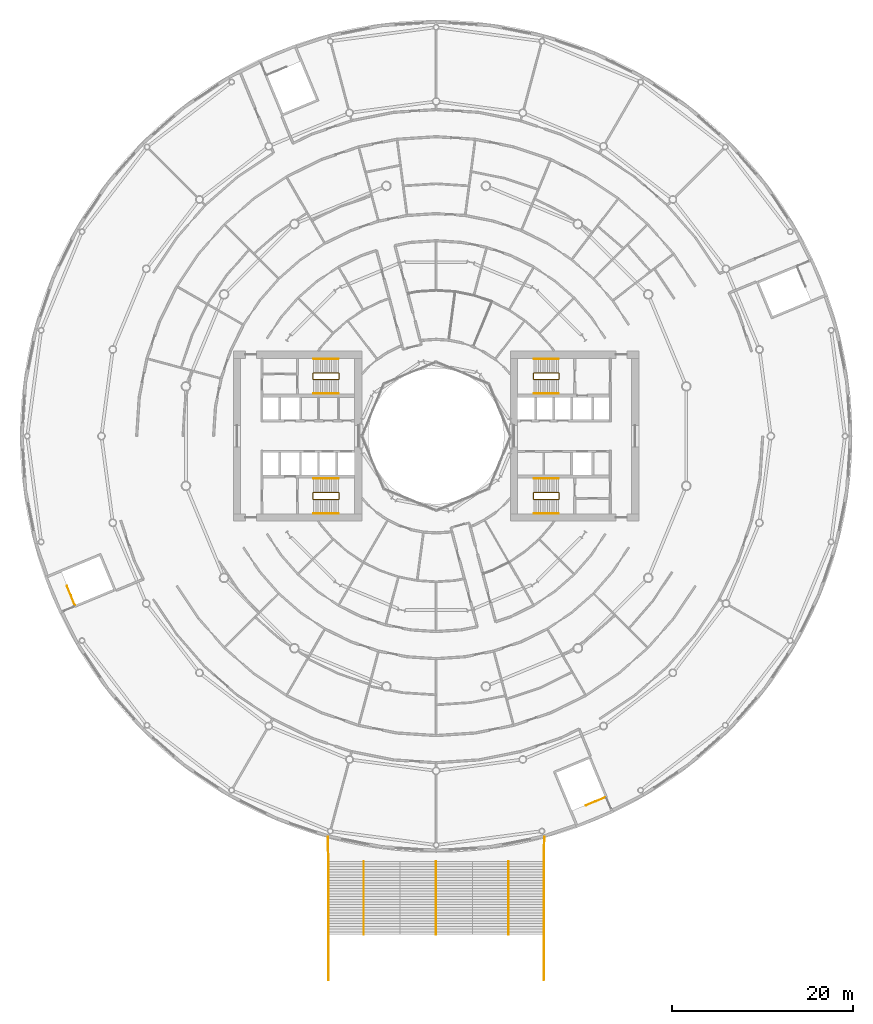
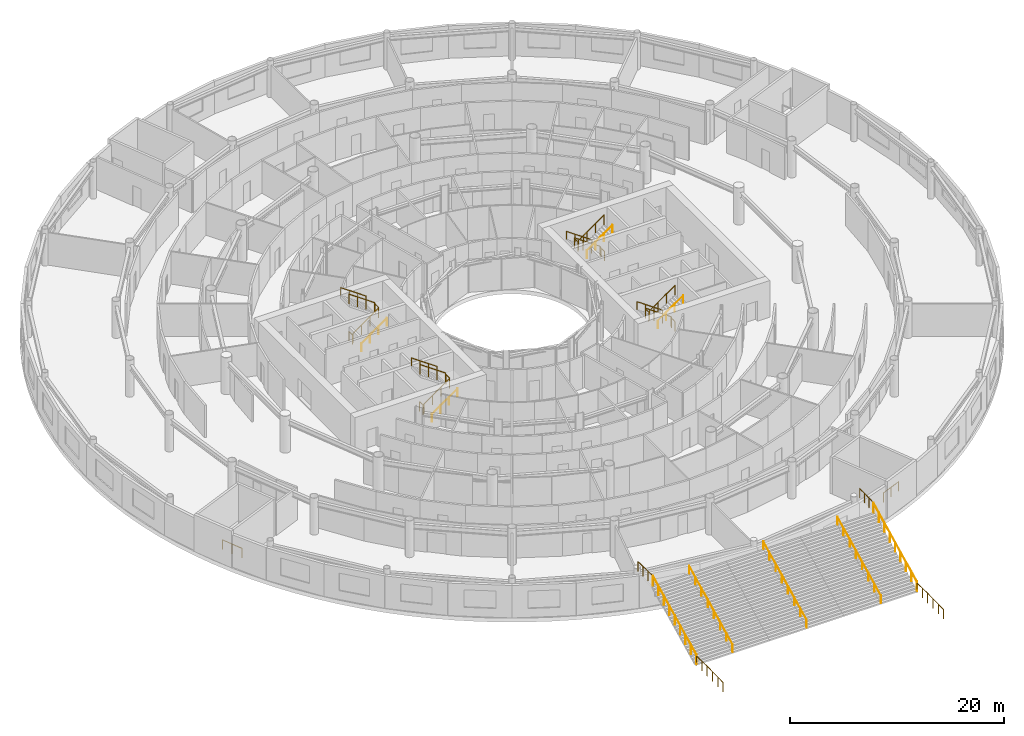
# One storey, part 28 of 29: 23 railings.
"""IFC4 building model written with IfcOpenShell, lengths in metres."""

from ifc_helpers import new_model, si_unit, direction, frame, origin, origin_2d, place, context, subcontext, project, spatial, circle, extrude, material, type_object, element, save


model = new_model("IFC4")

# Units and contexts
model_context = context("Model", 3, precision=1e-05, world=origin(), true_north=direction((0.0, 1.0)))
body_context = subcontext(model_context, "Body", "Model", "MODEL_VIEW")
ifc_project = project(units=[si_unit("LENGTHUNIT", "METRE"), si_unit("AREAUNIT", "SQUARE_METRE"), si_unit("VOLUMEUNIT", "CUBIC_METRE"), si_unit("PLANEANGLEUNIT", "RADIAN"), si_unit("MASSUNIT", "GRAM", prefix="KILO")], contexts=[model_context])

# Site, building, storey
site_placement = place(None, origin())
site = spatial("IfcSite", under=ifc_project, at=site_placement, CompositionType="ELEMENT")
building_placement = place(site_placement, origin())
building = spatial("IfcBuilding", under=site, at=building_placement, Name="Maasbend Ring Residences", CompositionType="ELEMENT")
storey_placement = place(building_placement, frame((0.0, 0.0, 5.39990234375)))
storey = spatial("IfcBuildingStorey", under=building, at=storey_placement, Name="L01", CompositionType="ELEMENT", Elevation=5.39990234375)

# Railings
ifc_material_1 = material(Name="Stainless steel 316", Category="steel")
railing_type_1 = type_object("IfcRailingType", Name="RL-HAND", PredefinedType="HANDRAIL", material=ifc_material_1)
for number, where, name in (
    (1, (0.0, -55.10009765625, 0.150146484375), "Stair handrail"),
    (2, (-8.0, -55.10009765625, 0.150146484375), "Stair handrail"),
    (3, (8.0, -55.10009765625, 0.150146484375), "Stair handrail"),
):
    element("IfcRailing", number, at=place(storey_placement, frame(where)), inside=storey, type_object=railing_type_1, Name=name, PredefinedType="HANDRAIL", context=body_context, shape_type="SweptSolid", body=[
        extrude(circle(Radius=0.0224609375, at=origin_2d()), frame((0.0, 0.0, 0.87744140625), z_axis=(0.0, 0.894427191, 0.4472135955), x_axis=(-1.0, 0.0, 0.0)), (0.0, 0.0, 1.0), 9.05615234375),
        extrude(circle(Radius=0.02001953125, at=origin_2d()), origin(), (0.0, 0.0, 1.0), 0.85498046875),
        extrude(circle(Radius=0.02001953125, at=origin_2d()), frame((0.0, 1.1572265625, 0.57861328125)), (0.0, 0.0, 1.0), 0.85498046875),
        extrude(circle(Radius=0.02001953125, at=origin_2d()), frame((0.0, 2.314208984375, 1.1572265625)), (0.0, 0.0, 1.0), 0.85498046875),
        extrude(circle(Radius=0.02001953125, at=origin_2d()), frame((0.0, 3.471435546875, 1.73583984375)), (0.0, 0.0, 1.0), 0.85498046875),
        extrude(circle(Radius=0.02001953125, at=origin_2d()), frame((0.0, 4.628662109375, 2.314208984375)), (0.0, 0.0, 1.0), 0.85498046875),
        extrude(circle(Radius=0.02001953125, at=origin_2d()), frame((0.0, 5.785888671875, 2.892822265625)), (0.0, 0.0, 1.0), 0.85498046875),
        extrude(circle(Radius=0.02001953125, at=origin_2d()), frame((0.0, 6.94287109375, 3.471435546875)), (0.0, 0.0, 1.0), 0.85498046875),
        extrude(circle(Radius=0.02001953125, at=origin_2d()), frame((0.0, 8.10009765625, 4.050048828125)), (0.0, 0.0, 1.0), 0.85498046875),
    ])
ifc_material_2 = material(Name="Stainless steel 316 and glass", Category="steel")
railing_type_2 = type_object("IfcRailingType", Name="RL-STAIR", PredefinedType="GUARDRAIL", material=ifc_material_2)
railing_1_placement = place(storey_placement, frame((-11.89990234375, -55.10009765625, 0.150146484375)))
element("IfcRailing", 4, at=railing_1_placement, inside=storey, type_object=railing_type_2, Name="Stair guard", PredefinedType="GUARDRAIL", context=body_context, shape_type="SweptSolid", body=[
    extrude(circle(Radius=0.02490234375, at=origin_2d()), frame((0.0, 0.0, 1.0751953125), z_axis=(0.0, 0.894427191, 0.4472135955), x_axis=(-1.0, 0.0, 0.0)), (0.0, 0.0, 1.0), 9.05615234375),
    extrude(circle(Radius=0.02001953125, at=origin_2d()), origin(), (0.0, 0.0, 1.0), 1.050048828125),
    extrude(circle(Radius=0.02001953125, at=origin_2d()), frame((0.0, 1.012451171875, 0.50634765625)), (0.0, 0.0, 1.0), 1.050048828125),
    extrude(circle(Radius=0.02001953125, at=origin_2d()), frame((0.0, 2.02490234375, 1.012451171875)), (0.0, 0.0, 1.0), 1.050048828125),
    extrude(circle(Radius=0.02001953125, at=origin_2d()), frame((0.0, 3.03759765625, 1.518798828125)), (0.0, 0.0, 1.0), 1.050048828125),
    extrude(circle(Radius=0.02001953125, at=origin_2d()), frame((0.0, 4.050048828125, 2.02490234375)), (0.0, 0.0, 1.0), 1.050048828125),
    extrude(circle(Radius=0.02001953125, at=origin_2d()), frame((0.0, 5.0625, 2.53125)), (0.0, 0.0, 1.0), 1.050048828125),
    extrude(circle(Radius=0.02001953125, at=origin_2d()), frame((0.0, 6.0751953125, 3.03759765625)), (0.0, 0.0, 1.0), 1.050048828125),
    extrude(circle(Radius=0.02001953125, at=origin_2d()), frame((0.0, 7.087646484375, 3.543701171875)), (0.0, 0.0, 1.0), 1.050048828125),
    extrude(circle(Radius=0.02001953125, at=origin_2d()), frame((0.0, 8.10009765625, 4.050048828125)), (0.0, 0.0, 1.0), 1.050048828125),
])
railing_2_placement = place(storey_placement, frame((-11.89990234375, -60.10009765625, 0.0)))
element("IfcRailing", 5, at=railing_2_placement, inside=storey, type_object=railing_type_2, Name="Stair terrace guard", PredefinedType="GUARDRAIL", context=body_context, shape_type="SweptSolid", body=[
    extrude(circle(Radius=0.02490234375, at=origin_2d()), frame((0.0, 0.0, 1.0751953125), z_axis=(0.0, 1.0, 0.0), x_axis=(-1.0, 0.0, 0.0)), (0.0, 0.0, 1.0), 5.0),
    extrude(circle(Radius=0.02001953125, at=origin_2d()), origin(), (0.0, 0.0, 1.0), 1.050048828125),
    extrude(circle(Radius=0.02001953125, at=origin_2d()), frame((0.0, 1.0, 0.0)), (0.0, 0.0, 1.0), 1.050048828125),
    extrude(circle(Radius=0.02001953125, at=origin_2d()), frame((0.0, 2.0, 0.0)), (0.0, 0.0, 1.0), 1.050048828125),
    extrude(circle(Radius=0.02001953125, at=origin_2d()), frame((0.0, 3.0, 0.0)), (0.0, 0.0, 1.0), 1.050048828125),
    extrude(circle(Radius=0.02001953125, at=origin_2d()), frame((0.0, 4.0, 0.0)), (0.0, 0.0, 1.0), 1.050048828125),
    extrude(circle(Radius=0.02001953125, at=origin_2d()), frame((0.0, 5.0, 0.0)), (0.0, 0.0, 1.0), 1.050048828125),
])
railing_3_placement = place(storey_placement, frame((11.89990234375, -55.10009765625, 0.150146484375)))
element("IfcRailing", 6, at=railing_3_placement, inside=storey, type_object=railing_type_2, Name="Stair guard", PredefinedType="GUARDRAIL", context=body_context, shape_type="SweptSolid", body=[
    extrude(circle(Radius=0.02490234375, at=origin_2d()), frame((0.0, 0.0, 1.0751953125), z_axis=(0.0, 0.894427191, 0.4472135955), x_axis=(-1.0, 0.0, 0.0)), (0.0, 0.0, 1.0), 9.05615234375),
    extrude(circle(Radius=0.02001953125, at=origin_2d()), origin(), (0.0, 0.0, 1.0), 1.050048828125),
    extrude(circle(Radius=0.02001953125, at=origin_2d()), frame((0.0, 1.012451171875, 0.50634765625)), (0.0, 0.0, 1.0), 1.050048828125),
    extrude(circle(Radius=0.02001953125, at=origin_2d()), frame((0.0, 2.02490234375, 1.012451171875)), (0.0, 0.0, 1.0), 1.050048828125),
    extrude(circle(Radius=0.02001953125, at=origin_2d()), frame((0.0, 3.03759765625, 1.518798828125)), (0.0, 0.0, 1.0), 1.050048828125),
    extrude(circle(Radius=0.02001953125, at=origin_2d()), frame((0.0, 4.050048828125, 2.02490234375)), (0.0, 0.0, 1.0), 1.050048828125),
    extrude(circle(Radius=0.02001953125, at=origin_2d()), frame((0.0, 5.0625, 2.53125)), (0.0, 0.0, 1.0), 1.050048828125),
    extrude(circle(Radius=0.02001953125, at=origin_2d()), frame((0.0, 6.0751953125, 3.03759765625)), (0.0, 0.0, 1.0), 1.050048828125),
    extrude(circle(Radius=0.02001953125, at=origin_2d()), frame((0.0, 7.087646484375, 3.543701171875)), (0.0, 0.0, 1.0), 1.050048828125),
    extrude(circle(Radius=0.02001953125, at=origin_2d()), frame((0.0, 8.10009765625, 4.050048828125)), (0.0, 0.0, 1.0), 1.050048828125),
])
railing_4_placement = place(storey_placement, frame((11.89990234375, -60.10009765625, 0.0)))
element("IfcRailing", 7, at=railing_4_placement, inside=storey, type_object=railing_type_2, Name="Stair terrace guard", PredefinedType="GUARDRAIL", context=body_context, shape_type="SweptSolid", body=[
    extrude(circle(Radius=0.02490234375, at=origin_2d()), frame((0.0, 0.0, 1.0751953125), z_axis=(0.0, 1.0, 0.0), x_axis=(-1.0, 0.0, 0.0)), (0.0, 0.0, 1.0), 5.0),
    extrude(circle(Radius=0.02001953125, at=origin_2d()), origin(), (0.0, 0.0, 1.0), 1.050048828125),
    extrude(circle(Radius=0.02001953125, at=origin_2d()), frame((0.0, 1.0, 0.0)), (0.0, 0.0, 1.0), 1.050048828125),
    extrude(circle(Radius=0.02001953125, at=origin_2d()), frame((0.0, 2.0, 0.0)), (0.0, 0.0, 1.0), 1.050048828125),
    extrude(circle(Radius=0.02001953125, at=origin_2d()), frame((0.0, 3.0, 0.0)), (0.0, 0.0, 1.0), 1.050048828125),
    extrude(circle(Radius=0.02001953125, at=origin_2d()), frame((0.0, 4.0, 0.0)), (0.0, 0.0, 1.0), 1.050048828125),
    extrude(circle(Radius=0.02001953125, at=origin_2d()), frame((0.0, 5.0, 0.0)), (0.0, 0.0, 1.0), 1.050048828125),
])
railing_5_placement = place(storey_placement, frame((-11.89990234375, -47.0, 4.2001953125)))
element("IfcRailing", 8, at=railing_5_placement, inside=storey, type_object=railing_type_2, Name="Stair top landing guard", PredefinedType="GUARDRAIL", context=body_context, shape_type="SweptSolid", body=[
    extrude(circle(Radius=0.02490234375, at=origin_2d()), frame((0.0, 0.0, 1.0751953125), z_axis=(-0.025408648561, 0.999677148172, 0.0), x_axis=(-0.999677148172, -0.025408648561, 0.0)), (0.0, 0.0, 1.0), 2.709716796875),
    extrude(circle(Radius=0.02001953125, at=origin_2d()), origin(), (0.0, 0.0, 1.0), 1.050048828125),
    extrude(circle(Radius=0.02001953125, at=origin_2d()), frame((-0.02294921875, 0.90283203125, 0.0)), (0.0, 0.0, 1.0), 1.050048828125),
    extrude(circle(Radius=0.02001953125, at=origin_2d()), frame((-0.0458984375, 1.805908203125, 0.0)), (0.0, 0.0, 1.0), 1.050048828125),
    extrude(circle(Radius=0.02001953125, at=origin_2d()), frame((-0.06884765625, 2.708740234375, 0.0)), (0.0, 0.0, 1.0), 1.050048828125),
])
railing_6_placement = place(storey_placement, frame((11.89990234375, -47.0, 4.2001953125)))
element("IfcRailing", 9, at=railing_6_placement, inside=storey, type_object=railing_type_2, Name="Stair top landing guard", PredefinedType="GUARDRAIL", context=body_context, shape_type="SweptSolid", body=[
    extrude(circle(Radius=0.02490234375, at=origin_2d()), frame((0.0, 0.0, 1.0751953125), z_axis=(0.025408648561, 0.999677148172, 0.0), x_axis=(-0.999677148172, 0.025408648561, 0.0)), (0.0, 0.0, 1.0), 2.709716796875),
    extrude(circle(Radius=0.02001953125, at=origin_2d()), origin(), (0.0, 0.0, 1.0), 1.050048828125),
    extrude(circle(Radius=0.02001953125, at=origin_2d()), frame((0.02294921875, 0.90283203125, 0.0)), (0.0, 0.0, 1.0), 1.050048828125),
    extrude(circle(Radius=0.02001953125, at=origin_2d()), frame((0.0458984375, 1.805908203125, 0.0)), (0.0, 0.0, 1.0), 1.050048828125),
    extrude(circle(Radius=0.02001953125, at=origin_2d()), frame((0.06884765625, 2.708740234375, 0.0)), (0.0, 0.0, 1.0), 1.050048828125),
])
ifc_material_3 = material(Name="Stainless steel 316", Category="steel")
railing_type_3 = type_object("IfcRailingType", Name="STAIR GUARD 1100", PredefinedType="GUARDRAIL", material=ifc_material_3)
railing_7_placement = place(storey_placement, frame((13.60009765625, 6.300048828125, 0.0)))
element("IfcRailing", 10, at=railing_7_placement, inside=storey, type_object=railing_type_3, Name="L01 ST-E1 stair guard 1", PredefinedType="GUARDRAIL", context=body_context, shape_type="SweptSolid", body=[
    extrude(circle(Radius=0.02392578125, at=origin_2d()), frame((0.0, 0.0, 1.076171875), z_axis=(0.0, 1.0, 0.0), x_axis=(-1.0, 0.0, 0.0)), (0.0, 0.0, 1.0), 0.64990234375),
    extrude(circle(Radius=0.02392578125, at=origin_2d()), frame((0.0, 0.64990234375, 1.076171875), z_axis=(-0.265065253269, 0.265065253269, 0.927081885822), x_axis=(-0.707106781187, -0.707106781187, 0.0)), (0.0, 0.0, 1.0), 0.188720703125),
    extrude(circle(Radius=0.02392578125, at=origin_2d()), frame((-0.050048828125, 0.699951171875, 1.2509765625), z_axis=(-0.819225086817, 0.0, 0.573472106672), x_axis=(0.0, -1.0, 0.0)), (0.0, 0.0, 1.0), 3.35693359375),
    extrude(circle(Radius=0.02392578125, at=origin_2d()), frame((-2.800048828125, 0.699951171875, 3.17626953125), z_axis=(-0.707106781187, -0.707106781187, 0.0), x_axis=(0.707106781187, -0.707106781187, 0.0)), (0.0, 0.0, 1.0), 0.07080078125),
    extrude(circle(Radius=0.02392578125, at=origin_2d()), frame((-2.85009765625, 0.64990234375, 3.17626953125), z_axis=(0.0, -1.0, 0.0), x_axis=(1.0, 0.0, 0.0)), (0.0, 0.0, 1.0), 0.64990234375),
    extrude(circle(Radius=0.02392578125, at=origin_2d()), frame((-2.85009765625, 0.0, 3.17626953125), z_axis=(0.265065253269, -0.265065253269, 0.927081885822), x_axis=(0.707106781187, 0.707106781187, 0.0)), (0.0, 0.0, 1.0), 0.188720703125),
    extrude(circle(Radius=0.02392578125, at=origin_2d()), frame((-2.800048828125, -0.050048828125, 3.35107421875), z_axis=(0.819225086817, 0.0, 0.573472106672), x_axis=(0.0, 1.0, 0.0)), (0.0, 0.0, 1.0), 3.35693359375),
    extrude(circle(Radius=0.02099609375, at=origin_2d()), origin(), (0.0, 0.0, 1.0), 1.052001953125),
    extrude(circle(Radius=0.02099609375, at=origin_2d()), frame((0.0, 0.64990234375, 0.0)), (0.0, 0.0, 1.0), 1.052001953125),
    extrude(circle(Radius=0.02099609375, at=origin_2d()), frame((-0.050048828125, 0.699951171875, 0.175048828125)), (0.0, 0.0, 1.0), 1.052001953125),
    extrude(circle(Radius=0.02099609375, at=origin_2d()), frame((-0.966796875, 0.699951171875, 0.816650390625)), (0.0, 0.0, 1.0), 1.052001953125),
    extrude(circle(Radius=0.02099609375, at=origin_2d()), frame((-1.88330078125, 0.699951171875, 1.45849609375)), (0.0, 0.0, 1.0), 1.052001953125),
    extrude(circle(Radius=0.02099609375, at=origin_2d()), frame((-2.800048828125, 0.699951171875, 2.10009765625)), (0.0, 0.0, 1.0), 1.052001953125),
    extrude(circle(Radius=0.02099609375, at=origin_2d()), frame((-2.85009765625, 0.64990234375, 2.10009765625)), (0.0, 0.0, 1.0), 1.052001953125),
    extrude(circle(Radius=0.02099609375, at=origin_2d()), frame((-2.85009765625, 0.0, 2.10009765625)), (0.0, 0.0, 1.0), 1.052001953125),
    extrude(circle(Radius=0.02099609375, at=origin_2d()), frame((-2.800048828125, -0.050048828125, 2.275146484375)), (0.0, 0.0, 1.0), 1.052001953125),
    extrude(circle(Radius=0.02099609375, at=origin_2d()), frame((-1.88330078125, -0.050048828125, 2.916748046875)), (0.0, 0.0, 1.0), 1.052001953125),
    extrude(circle(Radius=0.02099609375, at=origin_2d()), frame((-0.966796875, -0.050048828125, 3.55859375)), (0.0, 0.0, 1.0), 1.052001953125),
    extrude(circle(Radius=0.02099609375, at=origin_2d()), frame((-0.050048828125, -0.050048828125, 4.2001953125)), (0.0, 0.0, 1.0), 1.052001953125),
])
railing_8_placement = place(storey_placement, frame((13.60009765625, -6.949951171875, 0.0)))
element("IfcRailing", 11, at=railing_8_placement, inside=storey, type_object=railing_type_3, Name="L01 ST-E2 stair guard 1", PredefinedType="GUARDRAIL", context=body_context, shape_type="SweptSolid", body=[
    extrude(circle(Radius=0.02392578125, at=origin_2d()), frame((0.0, 0.0, 1.076171875), z_axis=(0.0, 1.0, 0.0), x_axis=(-1.0, 0.0, 0.0)), (0.0, 0.0, 1.0), 0.64990234375),
    extrude(circle(Radius=0.02392578125, at=origin_2d()), frame((0.0, 0.64990234375, 1.076171875), z_axis=(-0.265065253269, 0.265065253269, 0.927081885822), x_axis=(-0.707106781187, -0.707106781187, 0.0)), (0.0, 0.0, 1.0), 0.188720703125),
    extrude(circle(Radius=0.02392578125, at=origin_2d()), frame((-0.050048828125, 0.699951171875, 1.2509765625), z_axis=(-0.819225086817, 0.0, 0.573472106672), x_axis=(0.0, -1.0, 0.0)), (0.0, 0.0, 1.0), 3.35693359375),
    extrude(circle(Radius=0.02392578125, at=origin_2d()), frame((-2.800048828125, 0.699951171875, 3.17626953125), z_axis=(-0.707106781187, -0.707106781187, 0.0), x_axis=(0.707106781187, -0.707106781187, 0.0)), (0.0, 0.0, 1.0), 0.07080078125),
    extrude(circle(Radius=0.02392578125, at=origin_2d()), frame((-2.85009765625, 0.64990234375, 3.17626953125), z_axis=(0.0, -1.0, 0.0), x_axis=(1.0, 0.0, 0.0)), (0.0, 0.0, 1.0), 0.64990234375),
    extrude(circle(Radius=0.02392578125, at=origin_2d()), frame((-2.85009765625, 0.0, 3.17626953125), z_axis=(0.265065253269, -0.265065253269, 0.927081885822), x_axis=(0.707106781187, 0.707106781187, 0.0)), (0.0, 0.0, 1.0), 0.188720703125),
    extrude(circle(Radius=0.02392578125, at=origin_2d()), frame((-2.800048828125, -0.050048828125, 3.35107421875), z_axis=(0.819225086817, 0.0, 0.573472106672), x_axis=(0.0, 1.0, 0.0)), (0.0, 0.0, 1.0), 3.35693359375),
    extrude(circle(Radius=0.02099609375, at=origin_2d()), origin(), (0.0, 0.0, 1.0), 1.052001953125),
    extrude(circle(Radius=0.02099609375, at=origin_2d()), frame((0.0, 0.64990234375, 0.0)), (0.0, 0.0, 1.0), 1.052001953125),
    extrude(circle(Radius=0.02099609375, at=origin_2d()), frame((-0.050048828125, 0.699951171875, 0.175048828125)), (0.0, 0.0, 1.0), 1.052001953125),
    extrude(circle(Radius=0.02099609375, at=origin_2d()), frame((-0.966796875, 0.699951171875, 0.816650390625)), (0.0, 0.0, 1.0), 1.052001953125),
    extrude(circle(Radius=0.02099609375, at=origin_2d()), frame((-1.88330078125, 0.699951171875, 1.45849609375)), (0.0, 0.0, 1.0), 1.052001953125),
    extrude(circle(Radius=0.02099609375, at=origin_2d()), frame((-2.800048828125, 0.699951171875, 2.10009765625)), (0.0, 0.0, 1.0), 1.052001953125),
    extrude(circle(Radius=0.02099609375, at=origin_2d()), frame((-2.85009765625, 0.64990234375, 2.10009765625)), (0.0, 0.0, 1.0), 1.052001953125),
    extrude(circle(Radius=0.02099609375, at=origin_2d()), frame((-2.85009765625, 0.0, 2.10009765625)), (0.0, 0.0, 1.0), 1.052001953125),
    extrude(circle(Radius=0.02099609375, at=origin_2d()), frame((-2.800048828125, -0.050048828125, 2.275146484375)), (0.0, 0.0, 1.0), 1.052001953125),
    extrude(circle(Radius=0.02099609375, at=origin_2d()), frame((-1.88330078125, -0.050048828125, 2.916748046875)), (0.0, 0.0, 1.0), 1.052001953125),
    extrude(circle(Radius=0.02099609375, at=origin_2d()), frame((-0.966796875, -0.050048828125, 3.55859375)), (0.0, 0.0, 1.0), 1.052001953125),
    extrude(circle(Radius=0.02099609375, at=origin_2d()), frame((-0.050048828125, -0.050048828125, 4.2001953125)), (0.0, 0.0, 1.0), 1.052001953125),
])
railing_9_placement = place(storey_placement, frame((-13.60009765625, -6.300048828125, 0.0)))
element("IfcRailing", 12, at=railing_9_placement, inside=storey, type_object=railing_type_3, Name="L01 ST-W1 stair guard 1", PredefinedType="GUARDRAIL", context=body_context, shape_type="SweptSolid", body=[
    extrude(circle(Radius=0.02392578125, at=origin_2d()), frame((0.0, 0.0, 1.076171875), z_axis=(0.0, -1.0, 0.0), x_axis=(1.0, 0.0, 0.0)), (0.0, 0.0, 1.0), 0.64990234375),
    extrude(circle(Radius=0.02392578125, at=origin_2d()), frame((0.0, -0.64990234375, 1.076171875), z_axis=(0.265065253269, -0.265065253269, 0.927081885822), x_axis=(0.707106781187, 0.707106781187, 0.0)), (0.0, 0.0, 1.0), 0.188720703125),
    extrude(circle(Radius=0.02392578125, at=origin_2d()), frame((0.050048828125, -0.699951171875, 1.2509765625), z_axis=(0.819225086817, 0.0, 0.573472106672), x_axis=(0.0, 1.0, 0.0)), (0.0, 0.0, 1.0), 3.35693359375),
    extrude(circle(Radius=0.02392578125, at=origin_2d()), frame((2.800048828125, -0.699951171875, 3.17626953125), z_axis=(0.707106781187, 0.707106781187, 0.0), x_axis=(-0.707106781187, 0.707106781187, 0.0)), (0.0, 0.0, 1.0), 0.07080078125),
    extrude(circle(Radius=0.02392578125, at=origin_2d()), frame((2.85009765625, -0.64990234375, 3.17626953125), z_axis=(0.0, 1.0, 0.0), x_axis=(-1.0, 0.0, 0.0)), (0.0, 0.0, 1.0), 0.64990234375),
    extrude(circle(Radius=0.02392578125, at=origin_2d()), frame((2.85009765625, 0.0, 3.17626953125), z_axis=(-0.265065253269, 0.265065253269, 0.927081885822), x_axis=(-0.707106781187, -0.707106781187, 0.0)), (0.0, 0.0, 1.0), 0.188720703125),
    extrude(circle(Radius=0.02392578125, at=origin_2d()), frame((2.800048828125, 0.050048828125, 3.35107421875), z_axis=(-0.819225086817, 0.0, 0.573472106672), x_axis=(0.0, -1.0, 0.0)), (0.0, 0.0, 1.0), 3.35693359375),
    extrude(circle(Radius=0.02099609375, at=origin_2d()), origin(), (0.0, 0.0, 1.0), 1.052001953125),
    extrude(circle(Radius=0.02099609375, at=origin_2d()), frame((0.0, -0.64990234375, 0.0)), (0.0, 0.0, 1.0), 1.052001953125),
    extrude(circle(Radius=0.02099609375, at=origin_2d()), frame((0.050048828125, -0.699951171875, 0.175048828125)), (0.0, 0.0, 1.0), 1.052001953125),
    extrude(circle(Radius=0.02099609375, at=origin_2d()), frame((0.966796875, -0.699951171875, 0.816650390625)), (0.0, 0.0, 1.0), 1.052001953125),
    extrude(circle(Radius=0.02099609375, at=origin_2d()), frame((1.88330078125, -0.699951171875, 1.45849609375)), (0.0, 0.0, 1.0), 1.052001953125),
    extrude(circle(Radius=0.02099609375, at=origin_2d()), frame((2.800048828125, -0.699951171875, 2.10009765625)), (0.0, 0.0, 1.0), 1.052001953125),
    extrude(circle(Radius=0.02099609375, at=origin_2d()), frame((2.85009765625, -0.64990234375, 2.10009765625)), (0.0, 0.0, 1.0), 1.052001953125),
    extrude(circle(Radius=0.02099609375, at=origin_2d()), frame((2.85009765625, 0.0, 2.10009765625)), (0.0, 0.0, 1.0), 1.052001953125),
    extrude(circle(Radius=0.02099609375, at=origin_2d()), frame((2.800048828125, 0.050048828125, 2.275146484375)), (0.0, 0.0, 1.0), 1.052001953125),
    extrude(circle(Radius=0.02099609375, at=origin_2d()), frame((1.88330078125, 0.050048828125, 2.916748046875)), (0.0, 0.0, 1.0), 1.052001953125),
    extrude(circle(Radius=0.02099609375, at=origin_2d()), frame((0.966796875, 0.050048828125, 3.55859375)), (0.0, 0.0, 1.0), 1.052001953125),
    extrude(circle(Radius=0.02099609375, at=origin_2d()), frame((0.050048828125, 0.050048828125, 4.2001953125)), (0.0, 0.0, 1.0), 1.052001953125),
])
railing_10_placement = place(storey_placement, frame((-13.60009765625, 6.949951171875, 0.0)))
element("IfcRailing", 13, at=railing_10_placement, inside=storey, type_object=railing_type_3, Name="L01 ST-W2 stair guard 1", PredefinedType="GUARDRAIL", context=body_context, shape_type="SweptSolid", body=[
    extrude(circle(Radius=0.02392578125, at=origin_2d()), frame((0.0, 0.0, 1.076171875), z_axis=(0.0, -1.0, 0.0), x_axis=(1.0, 0.0, 0.0)), (0.0, 0.0, 1.0), 0.64990234375),
    extrude(circle(Radius=0.02392578125, at=origin_2d()), frame((0.0, -0.64990234375, 1.076171875), z_axis=(0.265065253269, -0.265065253269, 0.927081885822), x_axis=(0.707106781187, 0.707106781187, 0.0)), (0.0, 0.0, 1.0), 0.188720703125),
    extrude(circle(Radius=0.02392578125, at=origin_2d()), frame((0.050048828125, -0.699951171875, 1.2509765625), z_axis=(0.819225086817, 0.0, 0.573472106672), x_axis=(0.0, 1.0, 0.0)), (0.0, 0.0, 1.0), 3.35693359375),
    extrude(circle(Radius=0.02392578125, at=origin_2d()), frame((2.800048828125, -0.699951171875, 3.17626953125), z_axis=(0.707106781187, 0.707106781187, 0.0), x_axis=(-0.707106781187, 0.707106781187, 0.0)), (0.0, 0.0, 1.0), 0.07080078125),
    extrude(circle(Radius=0.02392578125, at=origin_2d()), frame((2.85009765625, -0.64990234375, 3.17626953125), z_axis=(0.0, 1.0, 0.0), x_axis=(-1.0, 0.0, 0.0)), (0.0, 0.0, 1.0), 0.64990234375),
    extrude(circle(Radius=0.02392578125, at=origin_2d()), frame((2.85009765625, 0.0, 3.17626953125), z_axis=(-0.265065253269, 0.265065253269, 0.927081885822), x_axis=(-0.707106781187, -0.707106781187, 0.0)), (0.0, 0.0, 1.0), 0.188720703125),
    extrude(circle(Radius=0.02392578125, at=origin_2d()), frame((2.800048828125, 0.050048828125, 3.35107421875), z_axis=(-0.819225086817, 0.0, 0.573472106672), x_axis=(0.0, -1.0, 0.0)), (0.0, 0.0, 1.0), 3.35693359375),
    extrude(circle(Radius=0.02099609375, at=origin_2d()), origin(), (0.0, 0.0, 1.0), 1.052001953125),
    extrude(circle(Radius=0.02099609375, at=origin_2d()), frame((0.0, -0.64990234375, 0.0)), (0.0, 0.0, 1.0), 1.052001953125),
    extrude(circle(Radius=0.02099609375, at=origin_2d()), frame((0.050048828125, -0.699951171875, 0.175048828125)), (0.0, 0.0, 1.0), 1.052001953125),
    extrude(circle(Radius=0.02099609375, at=origin_2d()), frame((0.966796875, -0.699951171875, 0.816650390625)), (0.0, 0.0, 1.0), 1.052001953125),
    extrude(circle(Radius=0.02099609375, at=origin_2d()), frame((1.88330078125, -0.699951171875, 1.45849609375)), (0.0, 0.0, 1.0), 1.052001953125),
    extrude(circle(Radius=0.02099609375, at=origin_2d()), frame((2.800048828125, -0.699951171875, 2.10009765625)), (0.0, 0.0, 1.0), 1.052001953125),
    extrude(circle(Radius=0.02099609375, at=origin_2d()), frame((2.85009765625, -0.64990234375, 2.10009765625)), (0.0, 0.0, 1.0), 1.052001953125),
    extrude(circle(Radius=0.02099609375, at=origin_2d()), frame((2.85009765625, 0.0, 2.10009765625)), (0.0, 0.0, 1.0), 1.052001953125),
    extrude(circle(Radius=0.02099609375, at=origin_2d()), frame((2.800048828125, 0.050048828125, 2.275146484375)), (0.0, 0.0, 1.0), 1.052001953125),
    extrude(circle(Radius=0.02099609375, at=origin_2d()), frame((1.88330078125, 0.050048828125, 2.916748046875)), (0.0, 0.0, 1.0), 1.052001953125),
    extrude(circle(Radius=0.02099609375, at=origin_2d()), frame((0.966796875, 0.050048828125, 3.55859375)), (0.0, 0.0, 1.0), 1.052001953125),
    extrude(circle(Radius=0.02099609375, at=origin_2d()), frame((0.050048828125, 0.050048828125, 4.2001953125)), (0.0, 0.0, 1.0), 1.052001953125),
])
railing_11_placement = place(storey_placement, frame((18.681884765625, -39.941162109375, 0.0)))
element("IfcRailing", 14, at=railing_11_placement, inside=storey, type_object=railing_type_3, Name="L01 ST-P2 top well guard 1", PredefinedType="GUARDRAIL", context=body_context, shape_type="SweptSolid", body=[
    extrude(circle(Radius=0.02392578125, at=origin_2d()), frame((0.0, 0.0, 1.076171875), z_axis=(-0.923891347689, -0.382654906758, 0.0), x_axis=(0.382654906758, -0.923891347689, 0.0)), (0.0, 0.0, 1.0), 2.300048828125),
    extrude(circle(Radius=0.02099609375, at=origin_2d()), origin(), (0.0, 0.0, 1.0), 1.052001953125),
    extrude(circle(Radius=0.02099609375, at=origin_2d()), frame((-1.0625, -0.43994140625, 0.0)), (0.0, 0.0, 1.0), 1.052001953125),
    extrude(circle(Radius=0.02099609375, at=origin_2d()), frame((-2.125, -0.880126953125, 0.0)), (0.0, 0.0, 1.0), 1.052001953125),
])
railing_12_placement = place(storey_placement, frame((-39.941162109375, -18.681884765625, 0.0)))
element("IfcRailing", 15, at=railing_12_placement, inside=storey, type_object=railing_type_3, Name="L01 ST-P6 top well guard 1", PredefinedType="GUARDRAIL", context=body_context, shape_type="SweptSolid", body=[
    extrude(circle(Radius=0.02392578125, at=origin_2d()), frame((0.0, 0.0, 1.076171875), z_axis=(-0.382654906758, 0.923891347689, 0.0), x_axis=(-0.923891347689, -0.382654906758, 0.0)), (0.0, 0.0, 1.0), 2.300048828125),
    extrude(circle(Radius=0.02099609375, at=origin_2d()), origin(), (0.0, 0.0, 1.0), 1.052001953125),
    extrude(circle(Radius=0.02099609375, at=origin_2d()), frame((-0.43994140625, 1.0625, 0.0)), (0.0, 0.0, 1.0), 1.052001953125),
    extrude(circle(Radius=0.02099609375, at=origin_2d()), frame((-0.880126953125, 2.125, 0.0)), (0.0, 0.0, 1.0), 1.052001953125),
])
ifc_material_4 = material(Name="Stainless steel 316", Category="steel")
railing_type_4 = type_object("IfcRailingType", Name="STAIR HANDRAIL 900", PredefinedType="HANDRAIL", material=ifc_material_4)
railing_13_placement = place(storey_placement, frame((13.550048828125, 8.550048828125, 0.175048828125)))
element("IfcRailing", 16, at=railing_13_placement, inside=storey, type_object=railing_type_4, Name="L01 ST-E1 stair handrail 1", PredefinedType="HANDRAIL", context=body_context, shape_type="SweptSolid", body=[
    extrude(circle(Radius=0.02392578125, at=origin_2d()), frame((0.0, 0.0, 0.8759765625), z_axis=(-0.819225086817, 0.0, 0.573472106672), x_axis=(0.0, -1.0, 0.0)), (0.0, 0.0, 1.0), 3.35693359375),
    extrude(circle(Radius=0.02099609375, at=origin_2d()), origin(), (0.0, 0.0, 1.0), 0.851806640625),
    extrude(circle(Radius=0.02099609375, at=origin_2d()), frame((-0.916748046875, 0.0, 0.6416015625)), (0.0, 0.0, 1.0), 0.851806640625),
    extrude(circle(Radius=0.02099609375, at=origin_2d()), frame((-1.833251953125, 0.0, 1.283447265625)), (0.0, 0.0, 1.0), 0.851806640625),
    extrude(circle(Radius=0.02099609375, at=origin_2d()), frame((-2.75, 0.0, 1.925048828125)), (0.0, 0.0, 1.0), 0.851806640625),
])
railing_14_placement = place(storey_placement, frame((10.800048828125, 4.699951171875, 2.275146484375)))
element("IfcRailing", 17, at=railing_14_placement, inside=storey, type_object=railing_type_4, Name="L01 ST-E1 stair handrail 2", PredefinedType="HANDRAIL", context=body_context, shape_type="SweptSolid", body=[
    extrude(circle(Radius=0.02392578125, at=origin_2d()), frame((0.0, 0.0, 0.8759765625), z_axis=(0.819225086817, 0.0, 0.573472106672), x_axis=(0.0, 1.0, 0.0)), (0.0, 0.0, 1.0), 3.35693359375),
    extrude(circle(Radius=0.02099609375, at=origin_2d()), origin(), (0.0, 0.0, 1.0), 0.851806640625),
    extrude(circle(Radius=0.02099609375, at=origin_2d()), frame((0.916748046875, 0.0, 0.6416015625)), (0.0, 0.0, 1.0), 0.851806640625),
    extrude(circle(Radius=0.02099609375, at=origin_2d()), frame((1.833251953125, 0.0, 1.283447265625)), (0.0, 0.0, 1.0), 0.851806640625),
    extrude(circle(Radius=0.02099609375, at=origin_2d()), frame((2.75, 0.0, 1.925048828125)), (0.0, 0.0, 1.0), 0.851806640625),
])
railing_15_placement = place(storey_placement, frame((13.550048828125, -4.699951171875, 0.175048828125)))
element("IfcRailing", 18, at=railing_15_placement, inside=storey, type_object=railing_type_4, Name="L01 ST-E2 stair handrail 1", PredefinedType="HANDRAIL", context=body_context, shape_type="SweptSolid", body=[
    extrude(circle(Radius=0.02392578125, at=origin_2d()), frame((0.0, 0.0, 0.8759765625), z_axis=(-0.819225086817, 0.0, 0.573472106672), x_axis=(0.0, -1.0, 0.0)), (0.0, 0.0, 1.0), 3.35693359375),
    extrude(circle(Radius=0.02099609375, at=origin_2d()), origin(), (0.0, 0.0, 1.0), 0.851806640625),
    extrude(circle(Radius=0.02099609375, at=origin_2d()), frame((-0.916748046875, 0.0, 0.6416015625)), (0.0, 0.0, 1.0), 0.851806640625),
    extrude(circle(Radius=0.02099609375, at=origin_2d()), frame((-1.833251953125, 0.0, 1.283447265625)), (0.0, 0.0, 1.0), 0.851806640625),
    extrude(circle(Radius=0.02099609375, at=origin_2d()), frame((-2.75, 0.0, 1.925048828125)), (0.0, 0.0, 1.0), 0.851806640625),
])
for number, where, name in (
    (19, (10.800048828125, -8.550048828125, 2.275146484375), "L01 ST-E2 stair handrail 2"),
    (20, (-13.550048828125, -8.550048828125, 0.175048828125), "L01 ST-W1 stair handrail 1"),
):
    element("IfcRailing", number, at=place(storey_placement, frame(where)), inside=storey, type_object=railing_type_4, Name=name, PredefinedType="HANDRAIL", context=body_context, shape_type="SweptSolid", body=[
        extrude(circle(Radius=0.02392578125, at=origin_2d()), frame((0.0, 0.0, 0.8759765625), z_axis=(0.819225086817, 0.0, 0.573472106672), x_axis=(0.0, 1.0, 0.0)), (0.0, 0.0, 1.0), 3.35693359375),
        extrude(circle(Radius=0.02099609375, at=origin_2d()), origin(), (0.0, 0.0, 1.0), 0.851806640625),
        extrude(circle(Radius=0.02099609375, at=origin_2d()), frame((0.916748046875, 0.0, 0.6416015625)), (0.0, 0.0, 1.0), 0.851806640625),
        extrude(circle(Radius=0.02099609375, at=origin_2d()), frame((1.833251953125, 0.0, 1.283447265625)), (0.0, 0.0, 1.0), 0.851806640625),
        extrude(circle(Radius=0.02099609375, at=origin_2d()), frame((2.75, 0.0, 1.925048828125)), (0.0, 0.0, 1.0), 0.851806640625),
    ])
railing_16_placement = place(storey_placement, frame((-10.800048828125, -4.699951171875, 2.275146484375)))
element("IfcRailing", 21, at=railing_16_placement, inside=storey, type_object=railing_type_4, Name="L01 ST-W1 stair handrail 2", PredefinedType="HANDRAIL", context=body_context, shape_type="SweptSolid", body=[
    extrude(circle(Radius=0.02392578125, at=origin_2d()), frame((0.0, 0.0, 0.8759765625), z_axis=(-0.819225086817, 0.0, 0.573472106672), x_axis=(0.0, -1.0, 0.0)), (0.0, 0.0, 1.0), 3.35693359375),
    extrude(circle(Radius=0.02099609375, at=origin_2d()), origin(), (0.0, 0.0, 1.0), 0.851806640625),
    extrude(circle(Radius=0.02099609375, at=origin_2d()), frame((-0.916748046875, 0.0, 0.6416015625)), (0.0, 0.0, 1.0), 0.851806640625),
    extrude(circle(Radius=0.02099609375, at=origin_2d()), frame((-1.833251953125, 0.0, 1.283447265625)), (0.0, 0.0, 1.0), 0.851806640625),
    extrude(circle(Radius=0.02099609375, at=origin_2d()), frame((-2.75, 0.0, 1.925048828125)), (0.0, 0.0, 1.0), 0.851806640625),
])
railing_17_placement = place(storey_placement, frame((-13.550048828125, 4.699951171875, 0.175048828125)))
element("IfcRailing", 22, at=railing_17_placement, inside=storey, type_object=railing_type_4, Name="L01 ST-W2 stair handrail 1", PredefinedType="HANDRAIL", context=body_context, shape_type="SweptSolid", body=[
    extrude(circle(Radius=0.02392578125, at=origin_2d()), frame((0.0, 0.0, 0.8759765625), z_axis=(0.819225086817, 0.0, 0.573472106672), x_axis=(0.0, 1.0, 0.0)), (0.0, 0.0, 1.0), 3.35693359375),
    extrude(circle(Radius=0.02099609375, at=origin_2d()), origin(), (0.0, 0.0, 1.0), 0.851806640625),
    extrude(circle(Radius=0.02099609375, at=origin_2d()), frame((0.916748046875, 0.0, 0.6416015625)), (0.0, 0.0, 1.0), 0.851806640625),
    extrude(circle(Radius=0.02099609375, at=origin_2d()), frame((1.833251953125, 0.0, 1.283447265625)), (0.0, 0.0, 1.0), 0.851806640625),
    extrude(circle(Radius=0.02099609375, at=origin_2d()), frame((2.75, 0.0, 1.925048828125)), (0.0, 0.0, 1.0), 0.851806640625),
])
railing_18_placement = place(storey_placement, frame((-10.800048828125, 8.550048828125, 2.275146484375)))
element("IfcRailing", 23, at=railing_18_placement, inside=storey, type_object=railing_type_4, Name="L01 ST-W2 stair handrail 2", PredefinedType="HANDRAIL", context=body_context, shape_type="SweptSolid", body=[
    extrude(circle(Radius=0.02392578125, at=origin_2d()), frame((0.0, 0.0, 0.8759765625), z_axis=(-0.819225086817, 0.0, 0.573472106672), x_axis=(0.0, -1.0, 0.0)), (0.0, 0.0, 1.0), 3.35693359375),
    extrude(circle(Radius=0.02099609375, at=origin_2d()), origin(), (0.0, 0.0, 1.0), 0.851806640625),
    extrude(circle(Radius=0.02099609375, at=origin_2d()), frame((-0.916748046875, 0.0, 0.6416015625)), (0.0, 0.0, 1.0), 0.851806640625),
    extrude(circle(Radius=0.02099609375, at=origin_2d()), frame((-1.833251953125, 0.0, 1.283447265625)), (0.0, 0.0, 1.0), 0.851806640625),
    extrude(circle(Radius=0.02099609375, at=origin_2d()), frame((-2.75, 0.0, 1.925048828125)), (0.0, 0.0, 1.0), 0.851806640625),
])

save(model, "model.ifc")
